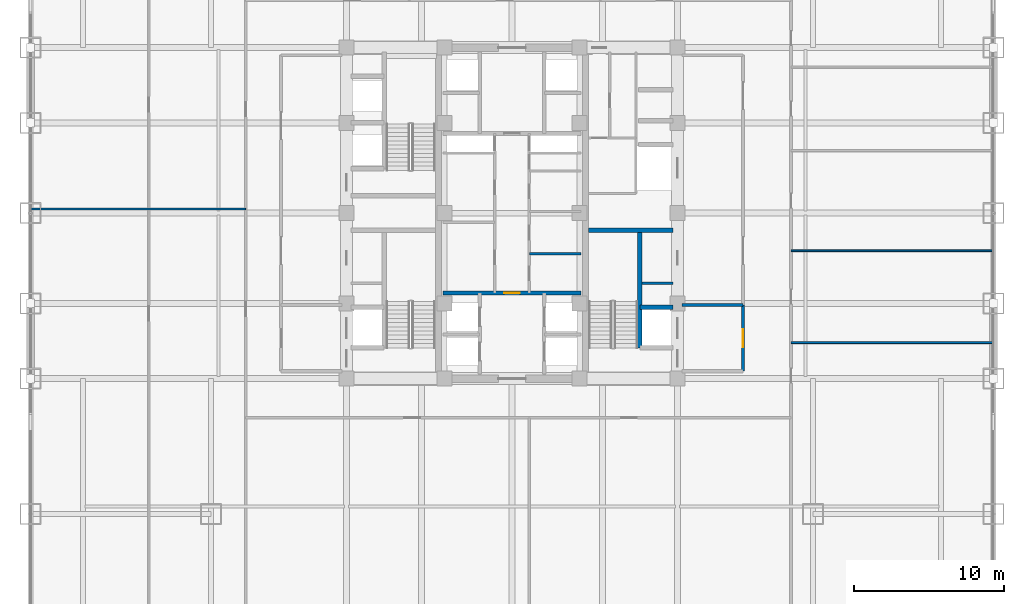
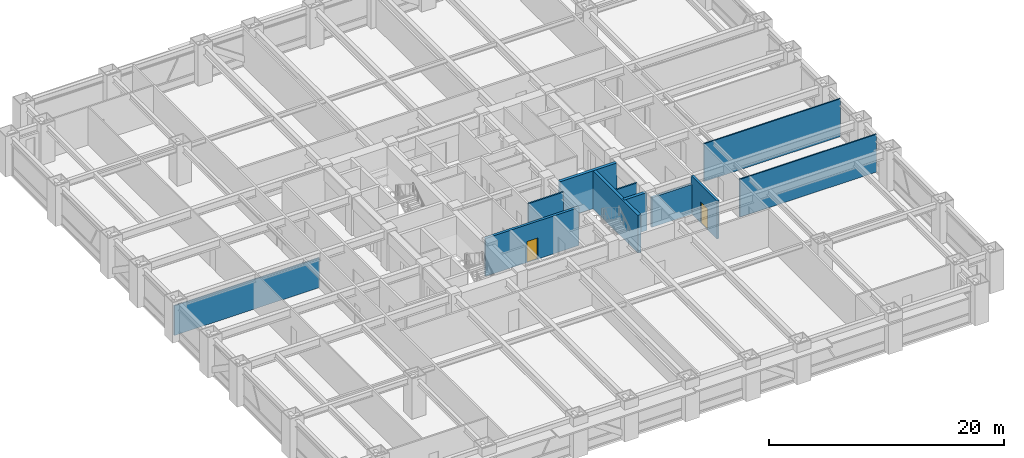
# One storey, part 24 of 32: 11 walls, 2 doors, 2 openings.
"""IFC4 building model written with IfcOpenShell, lengths in metres."""

from ifc_helpers import new_model, si_unit, direction, frame, frame_2d, origin, place, context, subcontext, project, spatial, rectangle, extrude, source, transform, mapped, material, layer, layer_set, type_object, element, fill, save


model = new_model("IFC4")

# Units and contexts
model_context = context("Model", 3, precision=1e-05, world=origin(), true_north=direction((0.0, 1.0)))
body_context = subcontext(model_context, "Body", "Model", "MODEL_VIEW")
ifc_project = project(units=[si_unit("LENGTHUNIT", "METRE"), si_unit("AREAUNIT", "SQUARE_METRE"), si_unit("VOLUMEUNIT", "CUBIC_METRE"), si_unit("PLANEANGLEUNIT", "RADIAN"), si_unit("MASSUNIT", "GRAM", prefix="KILO")], contexts=[model_context])

# Site, building, storey
site_placement = place(None, origin())
site = spatial("IfcSite", under=ifc_project, at=site_placement, CompositionType="ELEMENT")
building_placement = place(site_placement, origin())
building = spatial("IfcBuilding", under=site, at=building_placement, Name="Khorayat Bourse Tower", CompositionType="ELEMENT")
storey_placement = place(building_placement, frame((0.0, 0.0, 74.60009765625)))
storey = spatial("IfcBuildingStorey", under=building, at=storey_placement, Name="L16", CompositionType="ELEMENT", Elevation=74.60009765625)

# Walls
ifc_material_1 = material(Name="Concrete C50/60", Category="concrete")
ifc_layer_1 = layer(ifc_material_1, 0.300048828125)
ifc_layer_set_1 = layer_set([ifc_layer_1], Name="Concrete C50/60")
wall_type_1 = type_object("IfcWallType", Name="WAL-SHAFT-300", PredefinedType="SHEAR", material=ifc_layer_set_1)
shared_shape_1 = source(origin(), body_context, "Body", "SweptSolid", [
    extrude(rectangle(XDim=5.599853515625, YDim=0.300048828125, at=frame_2d((2.7998046875, 0.0))), origin(), (0.0, 0.0, 1.0), 3.93994140625),
])
wall_1_placement = place(storey_placement, frame((5.10009765625, -1.14990234375, 0.0), z_axis=(0.0, 0.0, 1.0), x_axis=(1.0, 0.0, 0.0)))
element("IfcWall", 1, at=wall_1_placement, inside=storey, type_object=wall_type_1, Name="L16 Core Shear Wall ST3-DIV", PredefinedType="SHEAR", context=body_context, shape_type="MappedRepresentation", body=[
    mapped(shared_shape_1, transform((0.0, 0.0, 0.0), scale=1.0)),
])
shared_shape_2 = source(origin(), body_context, "Body", "SweptSolid", [
    extrude(rectangle(XDim=7.800048828125, YDim=0.300048828125, at=frame_2d((3.89990234375, 0.0))), origin(), (0.0, 0.0, 1.0), 3.93994140625),
])
wall_2_placement = place(storey_placement, frame((8.5, -8.949951171875, 0.0), z_axis=(0.0, 0.0, 1.0), x_axis=(0.0, 1.0, 0.0)))
element("IfcWall", 2, at=wall_2_placement, inside=storey, type_object=wall_type_1, Name="L16 Partition WAL-L16-EPIER-SP", PredefinedType="SHEAR", context=body_context, shape_type="MappedRepresentation", body=[
    mapped(shared_shape_2, transform((0.0, 0.0, 0.0), scale=1.0)),
])
shared_shape_3 = source(origin(), body_context, "Body", "SweptSolid", [
    extrude(rectangle(XDim=2.199951171875, YDim=0.300048828125, at=frame_2d((1.10009765625, 0.0))), origin(), (0.0, 0.0, 1.0), 3.93994140625),
])
wall_3_placement = place(storey_placement, frame((8.5, -6.25, 0.0), z_axis=(0.0, 0.0, 1.0), x_axis=(1.0, 0.0, 0.0)))
element("IfcWall", 3, at=wall_3_placement, inside=storey, type_object=wall_type_1, Name="L16 Partition WAL-L16-EPIER-FF2N", PredefinedType="SHEAR", context=body_context, shape_type="MappedRepresentation", body=[
    mapped(shared_shape_3, transform((0.0, 0.0, 0.0), scale=1.0)),
])
ifc_material_2 = material(Name="Gypsum plasterboard twin-frame partition")
ifc_layer_2 = layer(ifc_material_2, 0.14990234375)
ifc_layer_set_2 = layer_set([ifc_layer_2], Name="Gypsum plasterboard twin-frame partition")
wall_type_2 = type_object("IfcWallType", Name="WAL-PART-SUITE-150", PredefinedType="PARTITIONING", material=ifc_layer_set_2)
shared_shape_4 = source(origin(), body_context, "Body", "SweptSolid", [
    extrude(rectangle(XDim=2.050048828125, YDim=0.14990234375, at=frame_2d((1.02490234375, 0.0))), origin(), (0.0, 0.0, 1.0), 3.93994140625),
])
wall_4_placement = place(storey_placement, frame((8.64990234375, -4.64990234375, 0.0), z_axis=(0.0, 0.0, 1.0), x_axis=(1.0, 0.0, 0.0)))
element("IfcWall", 4, at=wall_4_placement, inside=storey, type_object=wall_type_2, Name="L16 Partition WAL-L16-ESRV-S0", PredefinedType="PARTITIONING", context=body_context, shape_type="MappedRepresentation", body=[
    mapped(shared_shape_4, transform((0.0, 0.0, 0.0), scale=1.0)),
])
ifc_material_3 = material(Name="Aerated concrete blockwork", Category="masonry")
ifc_layer_3 = layer(ifc_material_3, 0.219970703125)
ifc_layer_set_3 = layer_set([ifc_layer_3], Name="Aerated concrete blockwork")
wall_type_3 = type_object("IfcWallType", Name="WAL-PART-FF-220", PredefinedType="PARTITIONING", material=ifc_layer_set_3)
shared_shape_5 = source(origin(), body_context, "Body", "SweptSolid", [
    extrude(rectangle(XDim=4.050048828125, YDim=0.219970703125, at=frame_2d((2.02490234375, 0.0))), origin(), (0.0, 0.0, 1.0), 3.0849609375),
])
wall_5_placement = place(storey_placement, frame((11.300048828125, -6.10009765625, 0.0), z_axis=(0.0, 0.0, 1.0), x_axis=(1.0, 0.0, 0.0)))
element("IfcWall", 5, at=wall_5_placement, inside=storey, type_object=wall_type_3, Name="L16 Partition WAL-L16-FFLE-N", PredefinedType="PARTITIONING", context=body_context, shape_type="MappedRepresentation", body=[
    mapped(shared_shape_5, transform((0.0, 0.0, 0.0), scale=1.0)),
])

# Wall, opening, door
shared_shape_6 = source(origin(), body_context, "Body", "SweptSolid", [
    extrude(rectangle(XDim=4.39990234375, YDim=0.219970703125, at=frame_2d((2.199951171875, 0.0))), origin(), (0.0, 0.0, 1.0), 3.93994140625),
])
wall_6_placement = place(storey_placement, frame((15.35009765625, -10.5, 0.0), z_axis=(0.0, 0.0, 1.0), x_axis=(0.0, 1.0, 0.0)))
wall_6 = element("IfcWall", 6, at=wall_6_placement, inside=storey, type_object=wall_type_3, Name="L16 Partition WAL-L16-FFLE-E", PredefinedType="PARTITIONING", context=body_context, shape_type="MappedRepresentation", body=[
    mapped(shared_shape_6, transform((0.0, 0.0, 0.0), scale=1.0)),
])
shared_shape_7 = source(origin(), body_context, "Body", "SweptSolid", [
    extrude(rectangle(XDim=1.199951171875, YDim=2.199951171875, at=frame_2d((0.60009765625, 1.10009765625))), frame((0.0, 0.119873046875, 0.0), z_axis=(0.0, -1.0, 0.0), x_axis=(1.0, 0.0, 0.0)), (0.0, 0.0, 1.0), 0.239990234375),
])
opening_1_placement = place(wall_6_placement, frame((1.60009765625, 0.0, 0.0)))
opening_1 = element("IfcOpeningElement", 7, at=opening_1_placement, cuts=wall_6, Name="Opening DI-02", PredefinedType="OPENING", context=body_context, shape_type="MappedRepresentation", body=[
    mapped(shared_shape_7, transform((0.0, 0.0, 0.0), scale=1.0)),
])
ifc_material_4 = material(Name="Fire-rated steel double-seal leaf", Category="steel")
door_type_1 = type_object("IfcDoorType", Name="DR-INT-FFLOBBY-1200", OperationType="NOTDEFINED", PredefinedType="DOOR", material=ifc_material_4)
shared_shape_8 = source(origin(), body_context, "Body", "SweptSolid", [
    extrude(rectangle(XDim=1.199951171875, YDim=2.199951171875, at=frame_2d((0.60009765625, 1.10009765625))), frame((0.0, 0.02490234375, 0.0), z_axis=(0.0, -1.0, 0.0), x_axis=(1.0, 0.0, 0.0)), (0.0, 0.0, 1.0), 0.050048828125),
])
door_1_placement = place(opening_1_placement, origin())
door_1 = element("IfcDoor", 8, at=door_1_placement, inside=storey, type_object=door_type_1, Name="L16 East Firefighting Lobby Door", OperationType="SINGLE_SWING_RIGHT", OverallHeight=2.199951171875, OverallWidth=1.199951171875, PredefinedType="DOOR", context=body_context, shape_type="MappedRepresentation", body=[
    mapped(shared_shape_8, transform((0.0, 0.0, 0.0), scale=1.0)),
])
fill(opening_1, door_1)

shared_shape_9 = source(origin(), body_context, "Body", "SweptSolid", [
    extrude(rectangle(XDim=9.2001953125, YDim=0.25, at=frame_2d((4.60009765625, 0.0))), origin(), (0.0, 0.0, 1.0), 3.93994140625),
])
wall_7_placement = place(storey_placement, frame((-4.60009765625, -5.300048828125, 0.0), z_axis=(0.0, 0.0, 1.0), x_axis=(1.0, 0.0, 0.0)))
wall_7 = element("IfcWall", 9, at=wall_7_placement, inside=storey, type_object=wall_type_1, Name="L16 Partition WAL-L16-B1-N", PredefinedType="SHEAR", context=body_context, shape_type="MappedRepresentation", body=[
    mapped(shared_shape_9, transform((0.0, 0.0, 0.0), scale=1.0)),
])
shared_shape_10 = source(origin(), body_context, "Body", "SweptSolid", [
    extrude(rectangle(XDim=1.050048828125, YDim=2.199951171875, at=frame_2d((0.52490234375, 1.10009765625))), frame((0.0, 0.135009765625, 0.0), z_axis=(0.0, -1.0, 0.0), x_axis=(1.0, 0.0, 0.0)), (0.0, 0.0, 1.0), 0.27001953125),
])
opening_2_placement = place(wall_7_placement, frame((4.074951171875, 0.0, 0.0)))
opening_2 = element("IfcOpeningElement", 10, at=opening_2_placement, cuts=wall_7, Name="Opening DI-04", PredefinedType="OPENING", context=body_context, shape_type="MappedRepresentation", body=[
    mapped(shared_shape_10, transform((0.0, 0.0, 0.0), scale=1.0)),
])
ifc_material_5 = material(Name="Fire-rated oak veneer suite entrance door")
door_type_2 = type_object("IfcDoorType", Name="DR-INT-SUITE-1050", OperationType="NOTDEFINED", PredefinedType="DOOR", material=ifc_material_5)
shared_shape_11 = source(origin(), body_context, "Body", "SweptSolid", [
    extrude(rectangle(XDim=1.050048828125, YDim=2.199951171875, at=frame_2d((0.52490234375, 1.10009765625))), frame((0.0, 0.02490234375, 0.0), z_axis=(0.0, -1.0, 0.0), x_axis=(1.0, 0.0, 0.0)), (0.0, 0.0, 1.0), 0.050048828125),
])
door_2_placement = place(opening_2_placement, origin())
door_2 = element("IfcDoor", 11, at=door_2_placement, inside=storey, type_object=door_type_2, Name="L16 Core Spine South Door", OperationType="SINGLE_SWING_LEFT", OverallHeight=2.199951171875, OverallWidth=1.050048828125, PredefinedType="DOOR", context=body_context, shape_type="MappedRepresentation", body=[
    mapped(shared_shape_11, transform((0.0, 0.0, 0.0), scale=1.0)),
])
fill(opening_2, door_2)

# Walls
ifc_material_6 = material(Name="Moisture-resistant masonry partition", Category="masonry")
ifc_layer_4 = layer(ifc_material_6, 0.139892578125)
ifc_layer_set_4 = layer_set([ifc_layer_4], Name="Moisture-resistant masonry partition")
wall_type_4 = type_object("IfcWallType", Name="WAL-PART-WET-140", PredefinedType="PARTITIONING", material=ifc_layer_set_4)
shared_shape_12 = source(origin(), body_context, "Body", "SweptSolid", [
    extrude(rectangle(XDim=3.4501953125, YDim=0.139892578125, at=frame_2d((1.72509765625, 0.0))), origin(), (0.0, 0.0, 1.0), 3.93994140625),
])
wall_8_placement = place(storey_placement, frame((1.14990234375, -2.699951171875, 0.0), z_axis=(0.0, 0.0, 1.0), x_axis=(1.0, 0.0, 0.0)))
element("IfcWall", 12, at=wall_8_placement, inside=storey, type_object=wall_type_4, Name="L16 Partition WAL-L16-CME-D1", PredefinedType="PARTITIONING", context=body_context, shape_type="MappedRepresentation", body=[
    mapped(shared_shape_12, transform((0.0, 0.0, 0.0), scale=1.0)),
])
ifc_material_7 = material(Name="Gypsum plasterboard partition")
ifc_layer_5 = layer(ifc_material_7, 0.125)
ifc_layer_set_5 = layer_set([ifc_layer_5], Name="Gypsum plasterboard partition")
wall_type_5 = type_object("IfcWallType", Name="WAL-PART-ROOM-125", PredefinedType="PARTITIONING", material=ifc_layer_set_5)
shared_shape_13 = source(origin(), body_context, "Body", "SweptSolid", [
    extrude(rectangle(XDim=13.449951171875, YDim=0.125, at=frame_2d((6.72509765625, 0.0))), origin(), (0.0, 0.0, 1.0), 3.93994140625),
])
for number, where, z_axis, x_axis, name in (
    (13, (18.550048828125, -8.60498046875, 0.0), (0.0, 0.0, 1.0), (1.0, 0.0, 0.0), "L16 Partition WAL-L16-EDV-1"),
    (14, (18.550048828125, -2.5, 0.0), (0.0, 0.0, 1.0), (1.0, 0.0, 0.0), "L16 Partition WAL-L16-EDV-2"),
):
    element("IfcWall", number, at=place(storey_placement, frame(where, z_axis=z_axis, x_axis=x_axis)), inside=storey, type_object=wall_type_5, Name=name, PredefinedType="PARTITIONING", context=body_context, shape_type="MappedRepresentation", body=[
        mapped(shared_shape_13, transform((0.0, 0.0, 0.0), scale=1.0)),
    ])
shared_shape_14 = source(origin(), body_context, "Body", "SweptSolid", [
    extrude(rectangle(XDim=14.300048828125, YDim=0.125, at=frame_2d((7.14990234375, 0.0))), origin(), (0.0, 0.0, 1.0), 3.0849609375),
])
wall_9_placement = place(storey_placement, frame((-32.0, 0.27490234375, 0.0), z_axis=(0.0, 0.0, 1.0), x_axis=(1.0, 0.0, 0.0)))
element("IfcWall", 15, at=wall_9_placement, inside=storey, type_object=wall_type_5, Name="L16 Partition WAL-L16-WDV-1", PredefinedType="PARTITIONING", context=body_context, shape_type="MappedRepresentation", body=[
    mapped(shared_shape_14, transform((0.0, 0.0, 0.0), scale=1.0)),
])

save(model, "model.ifc")
